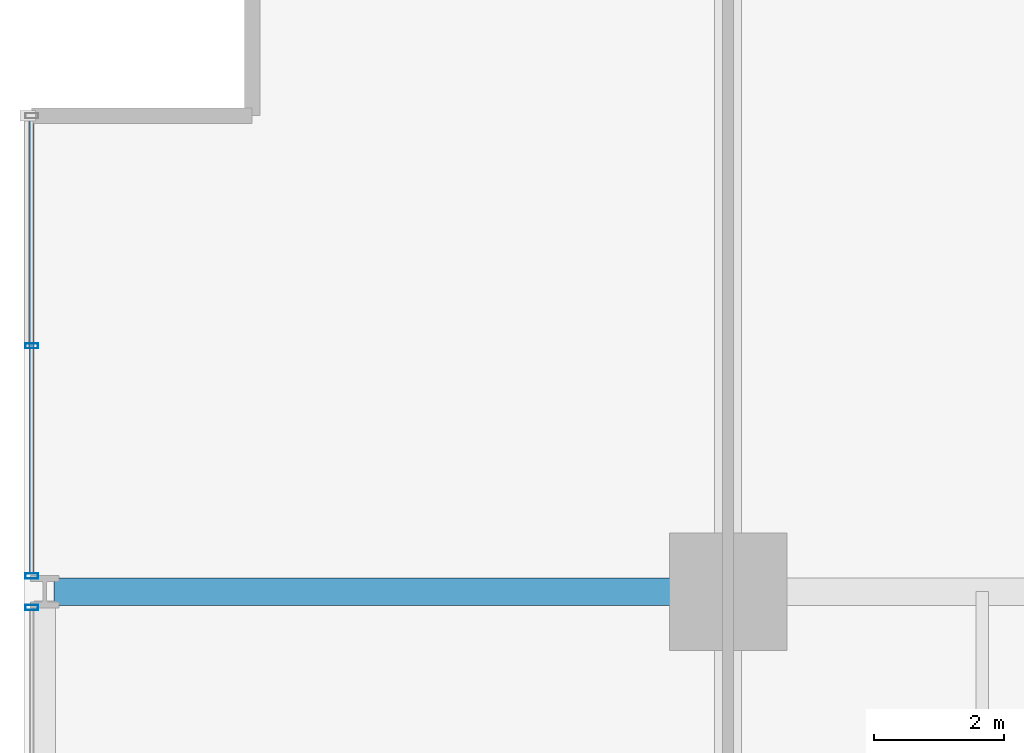
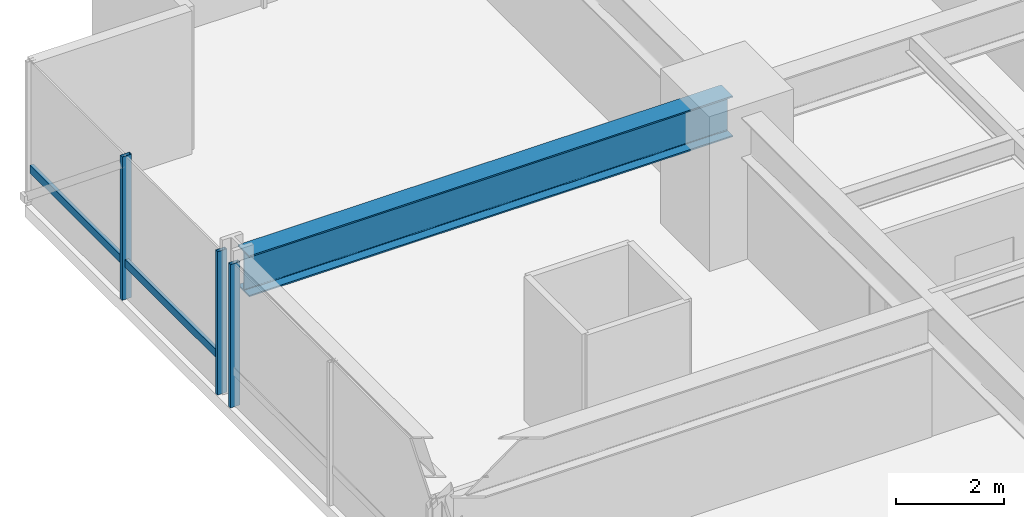
# One storey, part 19 of 38: 4 members, 1 beam, 2 elements without a shape of their own.
"""IFC4 building model written with IfcOpenShell, lengths in metres."""

from ifc_helpers import new_model, si_unit, direction, frame, origin, origin_2d, place, context, subcontext, project, spatial, hollow_rectangle, i_section, extrude, material, layer, layer_set, material_profile, profile_set, type_object, element, aggregate, save


model = new_model("IFC4")

# Units and contexts
model_context = context("Model", 3, precision=1e-05, world=origin(), true_north=direction((0.0, 1.0)))
body_context = subcontext(model_context, "Body", "Model", "MODEL_VIEW")
ifc_project = project(units=[si_unit("LENGTHUNIT", "METRE"), si_unit("AREAUNIT", "SQUARE_METRE"), si_unit("VOLUMEUNIT", "CUBIC_METRE"), si_unit("PLANEANGLEUNIT", "RADIAN"), si_unit("MASSUNIT", "GRAM", prefix="KILO")], contexts=[model_context])

# Site, building, storey
site_placement = place(None, origin())
site = spatial("IfcSite", under=ifc_project, at=site_placement, CompositionType="ELEMENT")
building_placement = place(site_placement, origin())
building = spatial("IfcBuilding", under=site, at=building_placement, Name="Drelvath Grand Hotel", CompositionType="ELEMENT")
storey_placement = place(building_placement, frame((0.0, 0.0, 47.199951171875)))
storey = spatial("IfcBuildingStorey", under=building, at=storey_placement, Name="L10", CompositionType="ELEMENT", Elevation=47.199951171875)

# Curtain wall, member
ifc_material_1 = material(Name="Warm Bronze Anodised Aluminium Frame", Category="aluminium")
ifc_layer = layer(ifc_material_1, 0.199951171875)
ifc_layer_set = layer_set([ifc_layer], Name="Warm Bronze Anodised Aluminium Frame")
curtain_wall_type = type_object("IfcCurtainWallType", Name="Stick Curtain Wall CW-02 Warm Bronze Low-Rise", PredefinedType="NOTDEFINED", material=ifc_layer_set)
curtain_wall_1_placement = place(storey_placement, origin())
curtain_wall_1 = element("IfcCurtainWall", 1, at=curtain_wall_1_placement, inside=storey, type_object=curtain_wall_type, Name="L10 CW-02 Curtain Wall CW02-L10-WN3", PredefinedType="NOTDEFINED")
ifc_material_profile_1 = material_profile(ifc_material_1, hollow_rectangle(XDim=0.074951171875, YDim=0.179931640625, WallThickness=0.0048828125, at=origin_2d()), Name="HSS180X75X5")
ifc_profile_set_1 = profile_set([ifc_material_profile_1], Name="Warm Bronze Anodised Aluminium Frame")
member_type_1 = type_object("IfcMemberType", Name="Curtain Wall Horizontal Transom CW-02 HSS180X75X5", PredefinedType="USERDEFINED", material=ifc_profile_set_1)
member_1_placement = place(storey_placement, frame((-26.8798828125, 43.48095703125, 0.81005859375), z_axis=(0.0, 1.0, 0.0), x_axis=(-1.0, 0.0, 0.0)))
member_1 = element("IfcMember", 2, at=member_1_placement, type_object=member_type_1, Name="CW02-L10-WN3 Sill Transom", ObjectType="TRANSOM", PredefinedType="USERDEFINED", context=body_context, shape_type="SweptSolid", body=[
    extrude(hollow_rectangle(XDim=0.074951171875, YDim=0.179931640625, WallThickness=0.0048828125, at=origin_2d()), origin(), (0.0, 0.0, 1.0), 6.97900390625),
])

curtain_wall_2_placement = place(storey_placement, origin())
curtain_wall_2 = element("IfcCurtainWall", 3, at=curtain_wall_2_placement, inside=storey, type_object=curtain_wall_type, Name="L10 CW-02 Curtain Wall CW02-L10-WN2", PredefinedType="NOTDEFINED")
ifc_material_profile_2 = material_profile(ifc_material_1, hollow_rectangle(XDim=0.080078125, YDim=0.199951171875, WallThickness=0.0048828125, at=origin_2d()), Name="HSS200X80X5")
ifc_profile_set_2 = profile_set([ifc_material_profile_2], Name="Warm Bronze Anodised Aluminium Frame")
member_type_2 = type_object("IfcMemberType", Name="Curtain Wall Vertical Mullion CW-02 HSS200X80X5", PredefinedType="MULLION", material=ifc_profile_set_2)
member_2_placement = place(storey_placement, frame((-26.8798828125, 42.958984375, 0.0), z_axis=(0.0, 0.0, 1.0), x_axis=(0.0, 1.0, 0.0)))
member_2 = element("IfcMember", 4, at=member_2_placement, type_object=member_type_2, Name="CW02-L10-WN2 Mullion 3", PredefinedType="MULLION", context=body_context, shape_type="SweptSolid", body=[
    extrude(hollow_rectangle(XDim=0.080078125, YDim=0.199951171875, WallThickness=0.0048828125, at=origin_2d()), origin(), (0.0, 0.0, 1.0), 3.239990234375),
])
aggregate(curtain_wall_2, [member_2])

# Member
member_3_placement = place(storey_placement, frame((-26.8798828125, 43.44091796875, 0.0), z_axis=(0.0, 0.0, 1.0), x_axis=(0.0, 1.0, 0.0)))
member_3 = element("IfcMember", 5, at=member_3_placement, type_object=member_type_2, Name="CW02-L10-WN3 Mullion 1", PredefinedType="MULLION", context=body_context, shape_type="SweptSolid", body=[
    extrude(hollow_rectangle(XDim=0.080078125, YDim=0.199951171875, WallThickness=0.0048828125, at=origin_2d()), origin(), (0.0, 0.0, 1.0), 3.239990234375),
])

member_4_placement = place(storey_placement, frame((-26.8798828125, 46.970458984375, 0.0), z_axis=(0.0, 0.0, 1.0), x_axis=(0.0, 1.0, 0.0)))
member_4 = element("IfcMember", 6, at=member_4_placement, type_object=member_type_2, Name="CW02-L10-WN3 Mullion 2", PredefinedType="MULLION", context=body_context, shape_type="SweptSolid", body=[
    extrude(hollow_rectangle(XDim=0.080078125, YDim=0.199951171875, WallThickness=0.0048828125, at=origin_2d()), origin(), (0.0, 0.0, 1.0), 3.239990234375),
])

aggregate(curtain_wall_1, [member_3, member_4, member_1])

# Beam
ifc_material_2 = material(Name="Steel ASTM A992 Gr 50", Category="steel")
ifc_material_profile_3 = material_profile(ifc_material_2, i_section(OverallWidth=0.418212890625, OverallDepth=0.926513671875, WebThickness=0.019287109375, FlangeThickness=0.031982421875, FilletRadius=0.028076171875, at=origin_2d()), Name="W36X231")
ifc_profile_set_3 = profile_set([ifc_material_profile_3], Name="Steel ASTM A992 Gr 50")
beam_type = type_object("IfcBeamType", Name="Primary Floor Girder W36X231", PredefinedType="BEAM", material=ifc_profile_set_3)
beam_placement = place(storey_placement, frame((-26.5400390625, 43.199951171875, 2.77685546875), z_axis=(1.0, 0.0, 0.0), x_axis=(0.0, 1.0, 0.0)))
element("IfcBeam", 7, at=beam_placement, inside=storey, type_object=beam_type, Name="L10 West Grid Girder G", PredefinedType="BEAM", context=body_context, shape_type="SweptSolid", body=[
    extrude(i_section(OverallWidth=0.418212890625, OverallDepth=0.926513671875, WebThickness=0.019287109375, FlangeThickness=0.031982421875, FilletRadius=0.028076171875, at=origin_2d()), origin(), (0.0, 0.0, 1.0), 10.340087890625),
])

save(model, "model.ifc")
